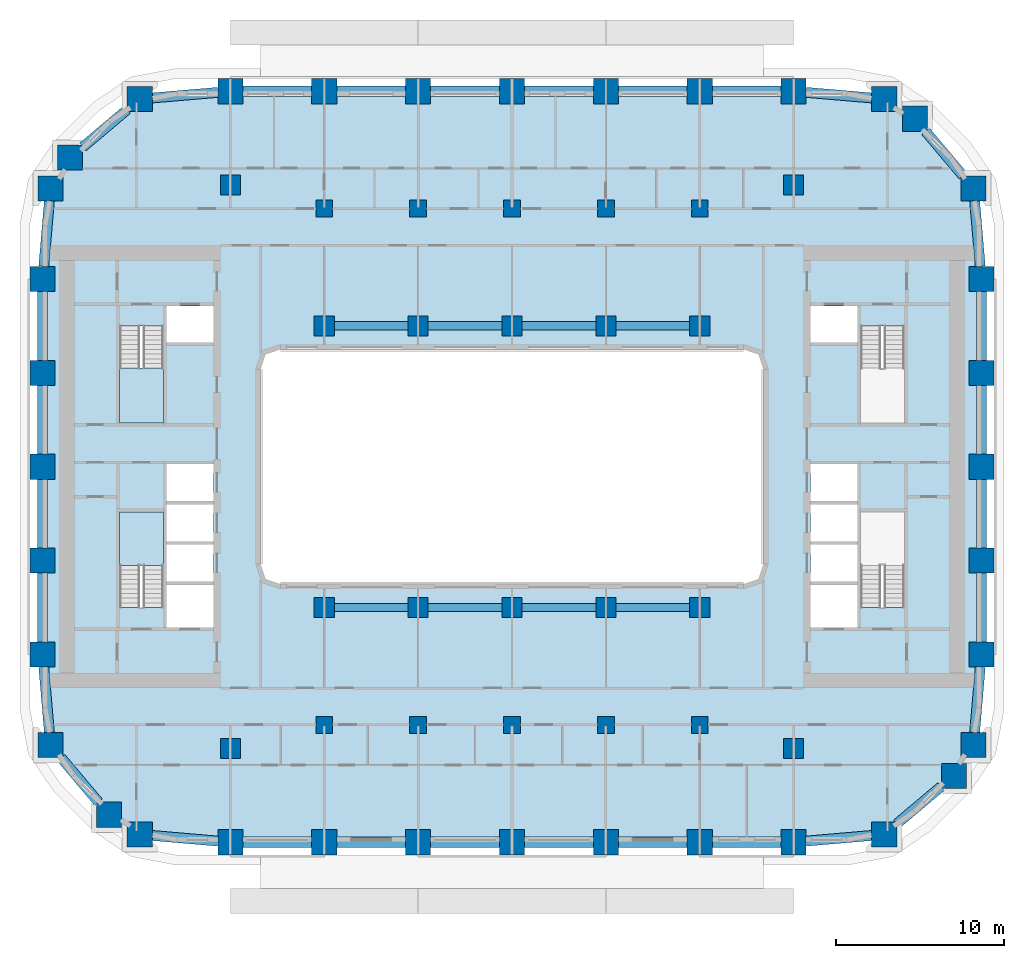
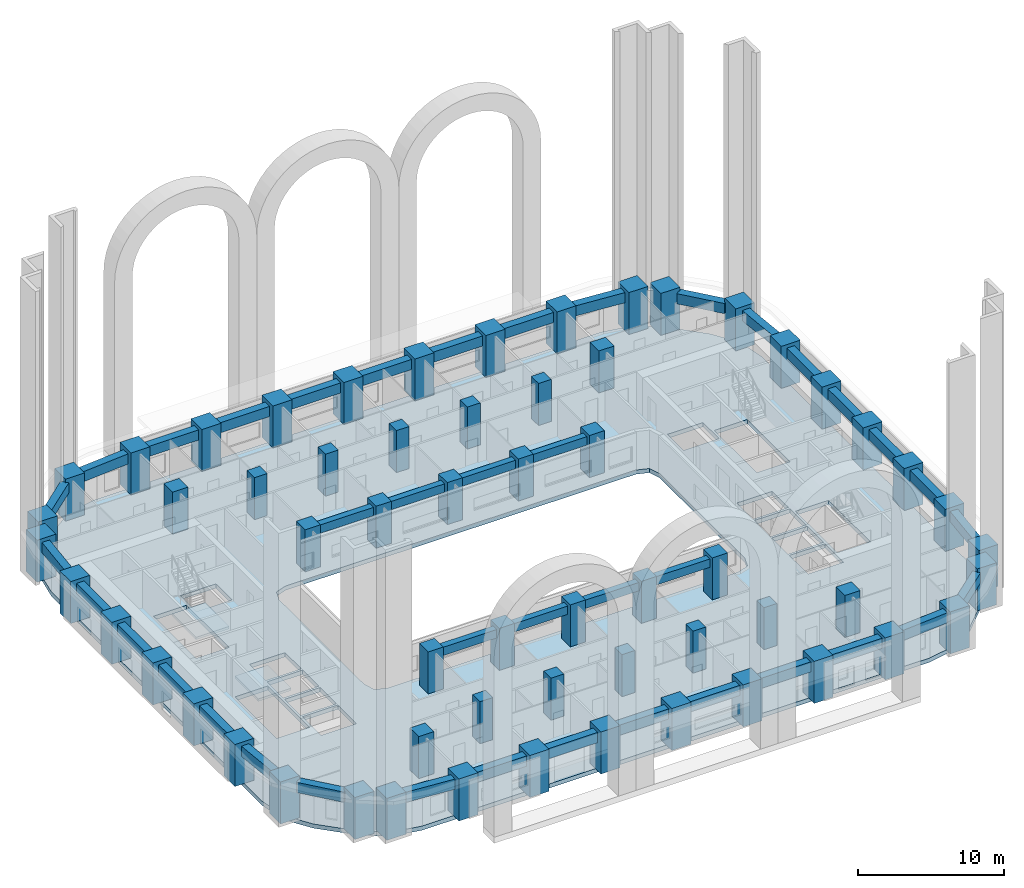
# One storey, part 1 of 21: 60 columns, 40 beams, 3 slabs, 2 elements without a shape of their own.
"""IFC4 building model written with IfcOpenShell, lengths in metres."""

from ifc_helpers import new_model, si_unit, direction, frame, origin, origin_2d, place, context, subcontext, project, spatial, polyline, rectangle, outline, extrude, material, layer, layer_set, material_profile, profile_set, type_object, element, aggregate, save


model = new_model("IFC4")

# Units and contexts
model_context = context("Model", 3, precision=1e-05, world=origin(), true_north=direction((0.0, 1.0)))
body_context = subcontext(model_context, "Body", "Model", "MODEL_VIEW")
ifc_project = project(units=[si_unit("LENGTHUNIT", "METRE"), si_unit("AREAUNIT", "SQUARE_METRE"), si_unit("VOLUMEUNIT", "CUBIC_METRE"), si_unit("PLANEANGLEUNIT", "RADIAN"), si_unit("MASSUNIT", "GRAM", prefix="KILO")], contexts=[model_context])

# Site, building, storey
site_placement = place(None, origin())
site = spatial("IfcSite", under=ifc_project, at=site_placement, CompositionType="ELEMENT")
building_placement = place(site_placement, origin())
building = spatial("IfcBuilding", under=site, at=building_placement, Name="Kiln Ring Residences", CompositionType="ELEMENT")
storey_placement = place(building_placement, frame((0.0, 0.0, 30.5)))
storey = spatial("IfcBuildingStorey", under=building, at=storey_placement, Name="L06", CompositionType="ELEMENT", Elevation=30.5)

# Columns
ifc_material_1 = material(Name="Concrete C80/95", Category="concrete")
ifc_material_profile_1 = material_profile(ifc_material_1, rectangle(XDim=1.0, YDim=1.0, at=origin_2d()), Name="RC1000x1000")
ifc_profile_set_1 = profile_set([ifc_material_profile_1], Name="Concrete C80/95")
column_type_1 = type_object("IfcColumnType", Name="Corridor column RC1000x1000 C80/95", PredefinedType="COLUMN", material=ifc_profile_set_1)
for number, where, z_axis, x_axis, name in (
    (1, (-11.199951171875, 15.39990234375, 0.0), (0.0, 0.0, 1.0), (1.0, 0.0, 0.0), "Corridor column L06 1"),
    (2, (-5.60009765625, 15.39990234375, 0.0), (0.0, 0.0, 1.0), (1.0, 0.0, 0.0), "Corridor column L06 2"),
    (3, (0.0, 15.39990234375, 0.0), (0.0, 0.0, 1.0), (1.0, 0.0, 0.0), "Corridor column L06 3"),
    (4, (5.60009765625, 15.39990234375, 0.0), (0.0, 0.0, 1.0), (1.0, 0.0, 0.0), "Corridor column L06 4"),
    (5, (11.199951171875, 15.39990234375, 0.0), (0.0, 0.0, 1.0), (1.0, 0.0, 0.0), "Corridor column L06 5"),
    (6, (-11.199951171875, -15.39990234375, 0.0), (0.0, 0.0, 1.0), (1.0, 0.0, 0.0), "Corridor column L06 6"),
    (7, (-5.60009765625, -15.39990234375, 0.0), (0.0, 0.0, 1.0), (1.0, 0.0, 0.0), "Corridor column L06 7"),
    (8, (0.0, -15.39990234375, 0.0), (0.0, 0.0, 1.0), (1.0, 0.0, 0.0), "Corridor column L06 8"),
    (9, (5.60009765625, -15.39990234375, 0.0), (0.0, 0.0, 1.0), (1.0, 0.0, 0.0), "Corridor column L06 9"),
    (10, (11.199951171875, -15.39990234375, 0.0), (0.0, 0.0, 1.0), (1.0, 0.0, 0.0), "Corridor column L06 10"),
):
    element("IfcColumn", number, at=place(storey_placement, frame(where, z_axis=z_axis, x_axis=x_axis)), inside=storey, type_object=column_type_1, Name=name, PredefinedType="COLUMN", context=body_context, shape_type="SweptSolid", body=[
        extrude(rectangle(XDim=1.0, YDim=1.0, at=origin_2d()), origin(), (0.0, 0.0, 1.0), 3.5),
    ])
ifc_material_2 = material(Name="Concrete C80/95", Category="concrete")
ifc_material_profile_2 = material_profile(ifc_material_2, rectangle(XDim=1.5, YDim=1.5, at=origin_2d()), Name="RC1500x1500")
ifc_profile_set_2 = profile_set([ifc_material_profile_2], Name="Concrete C80/95")
column_type_2 = type_object("IfcColumnType", Name="Perimeter column RC1500x1500 C80/95", PredefinedType="COLUMN", material=ifc_profile_set_2)
for number, where, z_axis, x_axis, name in (
    (11, (-22.208740234375, -21.93798828125, 0.0), (0.0, 0.0, 1.0), (1.0, 0.0, 0.0), "Perimeter column L06 1"),
    (12, (-16.800048828125, -22.39990234375, 0.0), (0.0, 0.0, 1.0), (1.0, 0.0, 0.0), "Perimeter column L06 2"),
    (13, (-11.199951171875, -22.39990234375, 0.0), (0.0, 0.0, 1.0), (1.0, 0.0, 0.0), "Perimeter column L06 3"),
    (14, (-5.60009765625, -22.39990234375, 0.0), (0.0, 0.0, 1.0), (1.0, 0.0, 0.0), "Perimeter column L06 4"),
    (15, (0.0, -22.39990234375, 0.0), (0.0, 0.0, 1.0), (1.0, 0.0, 0.0), "Perimeter column L06 5"),
    (16, (5.60009765625, -22.39990234375, 0.0), (0.0, 0.0, 1.0), (1.0, 0.0, 0.0), "Perimeter column L06 6"),
    (17, (11.199951171875, -22.39990234375, 0.0), (0.0, 0.0, 1.0), (1.0, 0.0, 0.0), "Perimeter column L06 7"),
    (18, (16.800048828125, -22.39990234375, 0.0), (0.0, 0.0, 1.0), (1.0, 0.0, 0.0), "Perimeter column L06 8"),
    (19, (22.208740234375, -21.93798828125, 0.0), (0.0, 0.0, 1.0), (1.0, 0.0, 0.0), "Perimeter column L06 9"),
    (20, (26.35986328125, -18.440185546875, 0.0), (0.0, 0.0, 1.0), (1.0, 0.0, 0.0), "Perimeter column L06 10"),
    (21, (27.5380859375, -16.608642578125, 0.0), (0.0, 0.0, 1.0), (1.0, 0.0, 0.0), "Perimeter column L06 11"),
    (22, (28.0, -11.199951171875, 0.0), (0.0, 0.0, 1.0), (1.0, 0.0, 0.0), "Perimeter column L06 12"),
    (23, (28.0, -5.60009765625, 0.0), (0.0, 0.0, 1.0), (1.0, 0.0, 0.0), "Perimeter column L06 13"),
    (24, (28.0, 0.0, 0.0), (0.0, 0.0, 1.0), (1.0, 0.0, 0.0), "Perimeter column L06 14"),
    (25, (28.0, 5.60009765625, 0.0), (0.0, 0.0, 1.0), (1.0, 0.0, 0.0), "Perimeter column L06 15"),
    (26, (28.0, 11.199951171875, 0.0), (0.0, 0.0, 1.0), (1.0, 0.0, 0.0), "Perimeter column L06 16"),
    (27, (27.5380859375, 16.608642578125, 0.0), (0.0, 0.0, 1.0), (1.0, 0.0, 0.0), "Perimeter column L06 17"),
    (28, (24.040283203125, 20.759765625, 0.0), (0.0, 0.0, 1.0), (1.0, 0.0, 0.0), "Perimeter column L06 18"),
    (29, (22.208740234375, 21.93798828125, 0.0), (0.0, 0.0, 1.0), (1.0, 0.0, 0.0), "Perimeter column L06 19"),
    (30, (16.800048828125, 22.39990234375, 0.0), (0.0, 0.0, 1.0), (1.0, 0.0, 0.0), "Perimeter column L06 20"),
    (31, (11.199951171875, 22.39990234375, 0.0), (0.0, 0.0, 1.0), (1.0, 0.0, 0.0), "Perimeter column L06 21"),
    (32, (5.60009765625, 22.39990234375, 0.0), (0.0, 0.0, 1.0), (1.0, 0.0, 0.0), "Perimeter column L06 22"),
    (33, (0.0, 22.39990234375, 0.0), (0.0, 0.0, 1.0), (1.0, 0.0, 0.0), "Perimeter column L06 23"),
    (34, (-5.60009765625, 22.39990234375, 0.0), (0.0, 0.0, 1.0), (1.0, 0.0, 0.0), "Perimeter column L06 24"),
    (35, (-11.199951171875, 22.39990234375, 0.0), (0.0, 0.0, 1.0), (1.0, 0.0, 0.0), "Perimeter column L06 25"),
    (36, (-16.800048828125, 22.39990234375, 0.0), (0.0, 0.0, 1.0), (1.0, 0.0, 0.0), "Perimeter column L06 26"),
    (37, (-22.208740234375, 21.93798828125, 0.0), (0.0, 0.0, 1.0), (1.0, 0.0, 0.0), "Perimeter column L06 27"),
    (38, (-26.35986328125, 18.440185546875, 0.0), (0.0, 0.0, 1.0), (1.0, 0.0, 0.0), "Perimeter column L06 28"),
    (39, (-27.5380859375, 16.608642578125, 0.0), (0.0, 0.0, 1.0), (1.0, 0.0, 0.0), "Perimeter column L06 29"),
    (40, (-28.0, 11.199951171875, 0.0), (0.0, 0.0, 1.0), (1.0, 0.0, 0.0), "Perimeter column L06 30"),
    (41, (-28.0, 5.60009765625, 0.0), (0.0, 0.0, 1.0), (1.0, 0.0, 0.0), "Perimeter column L06 31"),
    (42, (-28.0, 0.0, 0.0), (0.0, 0.0, 1.0), (1.0, 0.0, 0.0), "Perimeter column L06 32"),
    (43, (-28.0, -5.60009765625, 0.0), (0.0, 0.0, 1.0), (1.0, 0.0, 0.0), "Perimeter column L06 33"),
    (44, (-28.0, -11.199951171875, 0.0), (0.0, 0.0, 1.0), (1.0, 0.0, 0.0), "Perimeter column L06 34"),
    (45, (-27.5380859375, -16.608642578125, 0.0), (0.0, 0.0, 1.0), (1.0, 0.0, 0.0), "Perimeter column L06 35"),
    (46, (-24.040283203125, -20.759765625, 0.0), (0.0, 0.0, 1.0), (1.0, 0.0, 0.0), "Perimeter column L06 36"),
):
    element("IfcColumn", number, at=place(storey_placement, frame(where, z_axis=z_axis, x_axis=x_axis)), inside=storey, type_object=column_type_2, Name=name, PredefinedType="COLUMN", context=body_context, shape_type="SweptSolid", body=[
        extrude(rectangle(XDim=1.5, YDim=1.5, at=origin_2d()), origin(), (0.0, 0.0, 1.0), 3.5),
    ])
ifc_material_3 = material(Name="Concrete C80/95", Category="concrete")
ifc_material_profile_3 = material_profile(ifc_material_3, rectangle(XDim=1.199951171875, YDim=1.199951171875, at=origin_2d()), Name="RC1200x1200")
ifc_profile_set_3 = profile_set([ifc_material_profile_3], Name="Concrete C80/95")
column_type_3 = type_object("IfcColumnType", Name="Ring column RC1200x1200 C80/95", PredefinedType="COLUMN", material=ifc_profile_set_3)
for number, where, z_axis, x_axis, name in (
    (47, (-16.800048828125, -16.800048828125, 0.0), (0.0, 0.0, 1.0), (1.0, 0.0, 0.0), "Ring column L06 1"),
    (48, (-16.800048828125, 16.800048828125, 0.0), (0.0, 0.0, 1.0), (1.0, 0.0, 0.0), "Ring column L06 2"),
    (49, (-11.199951171875, -8.39990234375, 0.0), (0.0, 0.0, 1.0), (1.0, 0.0, 0.0), "Ring column L06 3"),
    (50, (-11.199951171875, 8.39990234375, 0.0), (0.0, 0.0, 1.0), (1.0, 0.0, 0.0), "Ring column L06 4"),
    (51, (-5.60009765625, -8.39990234375, 0.0), (0.0, 0.0, 1.0), (1.0, 0.0, 0.0), "Ring column L06 5"),
    (52, (-5.60009765625, 8.39990234375, 0.0), (0.0, 0.0, 1.0), (1.0, 0.0, 0.0), "Ring column L06 6"),
    (53, (0.0, -8.39990234375, 0.0), (0.0, 0.0, 1.0), (1.0, 0.0, 0.0), "Ring column L06 7"),
    (54, (0.0, 8.39990234375, 0.0), (0.0, 0.0, 1.0), (1.0, 0.0, 0.0), "Ring column L06 8"),
    (55, (5.60009765625, -8.39990234375, 0.0), (0.0, 0.0, 1.0), (1.0, 0.0, 0.0), "Ring column L06 9"),
    (56, (5.60009765625, 8.39990234375, 0.0), (0.0, 0.0, 1.0), (1.0, 0.0, 0.0), "Ring column L06 10"),
    (57, (11.199951171875, -8.39990234375, 0.0), (0.0, 0.0, 1.0), (1.0, 0.0, 0.0), "Ring column L06 11"),
    (58, (11.199951171875, 8.39990234375, 0.0), (0.0, 0.0, 1.0), (1.0, 0.0, 0.0), "Ring column L06 12"),
    (59, (16.800048828125, -16.800048828125, 0.0), (0.0, 0.0, 1.0), (1.0, 0.0, 0.0), "Ring column L06 13"),
    (60, (16.800048828125, 16.800048828125, 0.0), (0.0, 0.0, 1.0), (1.0, 0.0, 0.0), "Ring column L06 14"),
):
    element("IfcColumn", number, at=place(storey_placement, frame(where, z_axis=z_axis, x_axis=x_axis)), inside=storey, type_object=column_type_3, Name=name, PredefinedType="COLUMN", context=body_context, shape_type="SweptSolid", body=[
        extrude(rectangle(XDim=1.199951171875, YDim=1.199951171875, at=origin_2d()), origin(), (0.0, 0.0, 1.0), 3.5),
    ])

# Beams
ifc_material_4 = material(Name="Concrete C50/60", Category="concrete")
ifc_material_profile_4 = material_profile(ifc_material_4, rectangle(XDim=0.5, YDim=0.699951171875, at=origin_2d()), Name="RC500x700")
ifc_profile_set_4 = profile_set([ifc_material_profile_4], Name="Concrete C50/60")
beam_type_1 = type_object("IfcBeamType", Name="Ring beam RC500x700 C50/60", PredefinedType="BEAM", material=ifc_profile_set_4)
beam_1_placement = place(storey_placement, frame((-10.60009765625, -8.39990234375, 2.85009765625), z_axis=(1.0, 0.0, 0.0), x_axis=(0.0, 1.0, 0.0)))
element("IfcBeam", 61, at=beam_1_placement, inside=storey, type_object=beam_type_1, Name="Ring beam L06 1", PredefinedType="BEAM", context=body_context, shape_type="SweptSolid", body=[
    extrude(rectangle(XDim=0.5, YDim=0.699951171875, at=origin_2d()), origin(), (0.0, 0.0, 1.0), 4.400146484375),
])
for number, where, z_axis, x_axis, name in (
    (62, (-5.0, -8.39990234375, 2.85009765625), (1.0, 0.0, 0.0), (0.0, 1.0, 0.0), "Ring beam L06 2"),
    (63, (0.60009765625, -8.39990234375, 2.85009765625), (1.0, 0.0, 0.0), (0.0, 1.0, 0.0), "Ring beam L06 3"),
):
    element("IfcBeam", number, at=place(storey_placement, frame(where, z_axis=z_axis, x_axis=x_axis)), inside=storey, type_object=beam_type_1, Name=name, PredefinedType="BEAM", context=body_context, shape_type="SweptSolid", body=[
        extrude(rectangle(XDim=0.5, YDim=0.699951171875, at=origin_2d()), origin(), (0.0, 0.0, 1.0), 4.39990234375),
    ])
for number, where, z_axis, x_axis, name in (
    (64, (6.199951171875, -8.39990234375, 2.85009765625), (1.0, 0.0, 0.0), (0.0, 1.0, 0.0), "Ring beam L06 4"),
    (65, (-10.60009765625, 8.39990234375, 2.85009765625), (1.0, 0.0, 0.0), (0.0, 1.0, 0.0), "Ring beam L06 5"),
):
    element("IfcBeam", number, at=place(storey_placement, frame(where, z_axis=z_axis, x_axis=x_axis)), inside=storey, type_object=beam_type_1, Name=name, PredefinedType="BEAM", context=body_context, shape_type="SweptSolid", body=[
        extrude(rectangle(XDim=0.5, YDim=0.699951171875, at=origin_2d()), origin(), (0.0, 0.0, 1.0), 4.400146484375),
    ])
for number, where, z_axis, x_axis, name in (
    (66, (-5.0, 8.39990234375, 2.85009765625), (1.0, 0.0, 0.0), (0.0, 1.0, 0.0), "Ring beam L06 6"),
    (67, (0.60009765625, 8.39990234375, 2.85009765625), (1.0, 0.0, 0.0), (0.0, 1.0, 0.0), "Ring beam L06 7"),
):
    element("IfcBeam", number, at=place(storey_placement, frame(where, z_axis=z_axis, x_axis=x_axis)), inside=storey, type_object=beam_type_1, Name=name, PredefinedType="BEAM", context=body_context, shape_type="SweptSolid", body=[
        extrude(rectangle(XDim=0.5, YDim=0.699951171875, at=origin_2d()), origin(), (0.0, 0.0, 1.0), 4.39990234375),
    ])
beam_2_placement = place(storey_placement, frame((6.199951171875, 8.39990234375, 2.85009765625), z_axis=(1.0, 0.0, 0.0), x_axis=(0.0, 1.0, 0.0)))
element("IfcBeam", 68, at=beam_2_placement, inside=storey, type_object=beam_type_1, Name="Ring beam L06 8", PredefinedType="BEAM", context=body_context, shape_type="SweptSolid", body=[
    extrude(rectangle(XDim=0.5, YDim=0.699951171875, at=origin_2d()), origin(), (0.0, 0.0, 1.0), 4.400146484375),
])
ifc_material_5 = material(Name="Concrete C50/60", Category="concrete")
ifc_material_profile_5 = material_profile(ifc_material_5, rectangle(XDim=0.60009765625, YDim=0.85009765625, at=origin_2d()), Name="RC600x850")
ifc_profile_set_5 = profile_set([ifc_material_profile_5], Name="Concrete C50/60")
beam_type_2 = type_object("IfcBeamType", Name="Spandrel beam RC600x850 C50/60", PredefinedType="SPANDREL", material=ifc_profile_set_5)
beam_3_placement = place(storey_placement, frame((-21.458740234375, -22.002197265625, 2.77490234375), z_axis=(0.996374585929, -0.085074582072, 0.0), x_axis=(0.085074582072, 0.996374585929, 0.0)))
element("IfcBeam", 69, at=beam_3_placement, inside=storey, type_object=beam_type_2, Name="Spandrel beam L06 1", PredefinedType="SPANDREL", context=body_context, shape_type="SweptSolid", body=[
    extrude(rectangle(XDim=0.60009765625, YDim=0.85009765625, at=origin_2d()), origin(), (0.0, 0.0, 1.0), 3.9228515625),
])
beam_4_placement = place(storey_placement, frame((-16.050048828125, -22.39990234375, 2.77490234375), z_axis=(1.0, 0.0, 0.0), x_axis=(0.0, 1.0, 0.0)))
element("IfcBeam", 70, at=beam_4_placement, inside=storey, type_object=beam_type_2, Name="Spandrel beam L06 2", PredefinedType="SPANDREL", context=body_context, shape_type="SweptSolid", body=[
    extrude(rectangle(XDim=0.60009765625, YDim=0.85009765625, at=origin_2d()), origin(), (0.0, 0.0, 1.0), 4.10009765625),
])
beam_5_placement = place(storey_placement, frame((-10.449951171875, -22.39990234375, 2.77490234375), z_axis=(1.0, 0.0, 0.0), x_axis=(0.0, 1.0, 0.0)))
element("IfcBeam", 71, at=beam_5_placement, inside=storey, type_object=beam_type_2, Name="Spandrel beam L06 3", PredefinedType="SPANDREL", context=body_context, shape_type="SweptSolid", body=[
    extrude(rectangle(XDim=0.60009765625, YDim=0.85009765625, at=origin_2d()), origin(), (0.0, 0.0, 1.0), 4.099853515625),
])
for number, where, z_axis, x_axis, name in (
    (72, (-4.85009765625, -22.39990234375, 2.77490234375), (1.0, 0.0, 0.0), (0.0, 1.0, 0.0), "Spandrel beam L06 4"),
    (73, (0.75, -22.39990234375, 2.77490234375), (1.0, 0.0, 0.0), (0.0, 1.0, 0.0), "Spandrel beam L06 5"),
):
    element("IfcBeam", number, at=place(storey_placement, frame(where, z_axis=z_axis, x_axis=x_axis)), inside=storey, type_object=beam_type_2, Name=name, PredefinedType="SPANDREL", context=body_context, shape_type="SweptSolid", body=[
        extrude(rectangle(XDim=0.60009765625, YDim=0.85009765625, at=origin_2d()), origin(), (0.0, 0.0, 1.0), 4.10009765625),
    ])
beam_6_placement = place(storey_placement, frame((6.35009765625, -22.39990234375, 2.77490234375), z_axis=(1.0, 0.0, 0.0), x_axis=(0.0, 1.0, 0.0)))
element("IfcBeam", 74, at=beam_6_placement, inside=storey, type_object=beam_type_2, Name="Spandrel beam L06 6", PredefinedType="SPANDREL", context=body_context, shape_type="SweptSolid", body=[
    extrude(rectangle(XDim=0.60009765625, YDim=0.85009765625, at=origin_2d()), origin(), (0.0, 0.0, 1.0), 4.099853515625),
])
beam_7_placement = place(storey_placement, frame((11.949951171875, -22.39990234375, 2.77490234375), z_axis=(1.0, 0.0, 0.0), x_axis=(0.0, 1.0, 0.0)))
element("IfcBeam", 75, at=beam_7_placement, inside=storey, type_object=beam_type_2, Name="Spandrel beam L06 7", PredefinedType="SPANDREL", context=body_context, shape_type="SweptSolid", body=[
    extrude(rectangle(XDim=0.60009765625, YDim=0.85009765625, at=origin_2d()), origin(), (0.0, 0.0, 1.0), 4.10009765625),
])
beam_8_placement = place(storey_placement, frame((17.550048828125, -22.3359375, 2.77490234375), z_axis=(0.996374585929, 0.085074582072, 0.0), x_axis=(-0.085074582072, 0.996374585929, 0.0)))
element("IfcBeam", 76, at=beam_8_placement, inside=storey, type_object=beam_type_2, Name="Spandrel beam L06 8", PredefinedType="SPANDREL", context=body_context, shape_type="SweptSolid", body=[
    extrude(rectangle(XDim=0.60009765625, YDim=0.85009765625, at=origin_2d()), origin(), (0.0, 0.0, 1.0), 3.9228515625),
])
beam_9_placement = place(storey_placement, frame((22.958740234375, -21.30615234375, 2.77490234375), z_axis=(0.76471758739, 0.644365588417, 0.0), x_axis=(-0.644365588417, 0.76471758739, 0.0)))
element("IfcBeam", 77, at=beam_9_placement, inside=storey, type_object=beam_type_2, Name="Spandrel beam L06 9", PredefinedType="SPANDREL", context=body_context, shape_type="SweptSolid", body=[
    extrude(rectangle(XDim=0.60009765625, YDim=0.85009765625, at=origin_2d()), origin(), (0.0, 0.0, 1.0), 3.466796875),
])
beam_10_placement = place(storey_placement, frame((27.60205078125, -15.858642578125, 2.77490234375), z_axis=(0.085136365662, 0.996369308661, 0.0), x_axis=(-0.996369308661, 0.085136365662, 0.0)))
element("IfcBeam", 78, at=beam_10_placement, inside=storey, type_object=beam_type_2, Name="Spandrel beam L06 10", PredefinedType="SPANDREL", context=body_context, shape_type="SweptSolid", body=[
    extrude(rectangle(XDim=0.60009765625, YDim=0.85009765625, at=origin_2d()), origin(), (0.0, 0.0, 1.0), 3.9228515625),
])
beam_11_placement = place(storey_placement, frame((28.0, -10.449951171875, 2.77490234375), z_axis=(0.0, 1.0, 0.0), x_axis=(-1.0, 0.0, 0.0)))
element("IfcBeam", 79, at=beam_11_placement, inside=storey, type_object=beam_type_2, Name="Spandrel beam L06 11", PredefinedType="SPANDREL", context=body_context, shape_type="SweptSolid", body=[
    extrude(rectangle(XDim=0.60009765625, YDim=0.85009765625, at=origin_2d()), origin(), (0.0, 0.0, 1.0), 4.099853515625),
])
for number, where, z_axis, x_axis, name in (
    (80, (28.0, -4.85009765625, 2.77490234375), (0.0, 1.0, 0.0), (-1.0, 0.0, 0.0), "Spandrel beam L06 12"),
    (81, (28.0, 0.75, 2.77490234375), (0.0, 1.0, 0.0), (-1.0, 0.0, 0.0), "Spandrel beam L06 13"),
):
    element("IfcBeam", number, at=place(storey_placement, frame(where, z_axis=z_axis, x_axis=x_axis)), inside=storey, type_object=beam_type_2, Name=name, PredefinedType="SPANDREL", context=body_context, shape_type="SweptSolid", body=[
        extrude(rectangle(XDim=0.60009765625, YDim=0.85009765625, at=origin_2d()), origin(), (0.0, 0.0, 1.0), 4.10009765625),
    ])
beam_12_placement = place(storey_placement, frame((28.0, 6.35009765625, 2.77490234375), z_axis=(0.0, 1.0, 0.0), x_axis=(-1.0, 0.0, 0.0)))
element("IfcBeam", 82, at=beam_12_placement, inside=storey, type_object=beam_type_2, Name="Spandrel beam L06 14", PredefinedType="SPANDREL", context=body_context, shape_type="SweptSolid", body=[
    extrude(rectangle(XDim=0.60009765625, YDim=0.85009765625, at=origin_2d()), origin(), (0.0, 0.0, 1.0), 4.099853515625),
])
beam_13_placement = place(storey_placement, frame((27.93603515625, 11.949951171875, 2.77490234375), z_axis=(-0.085136365662, 0.996369308661, 0.0), x_axis=(-0.996369308661, -0.085136365662, 0.0)))
element("IfcBeam", 83, at=beam_13_placement, inside=storey, type_object=beam_type_2, Name="Spandrel beam L06 15", PredefinedType="SPANDREL", context=body_context, shape_type="SweptSolid", body=[
    extrude(rectangle(XDim=0.60009765625, YDim=0.85009765625, at=origin_2d()), origin(), (0.0, 0.0, 1.0), 3.9228515625),
])
beam_14_placement = place(storey_placement, frame((26.906005859375, 17.358642578125, 2.77490234375), z_axis=(-0.644365588417, 0.76471758739, 0.0), x_axis=(-0.76471758739, -0.644365588417, 0.0)))
element("IfcBeam", 84, at=beam_14_placement, inside=storey, type_object=beam_type_2, Name="Spandrel beam L06 16", PredefinedType="SPANDREL", context=body_context, shape_type="SweptSolid", body=[
    extrude(rectangle(XDim=0.60009765625, YDim=0.85009765625, at=origin_2d()), origin(), (0.0, 0.0, 1.0), 3.466796875),
])
beam_15_placement = place(storey_placement, frame((21.458740234375, 22.002197265625, 2.77490234375), z_axis=(-0.996374585929, 0.085074582072, 0.0), x_axis=(-0.085074582072, -0.996374585929, 0.0)))
element("IfcBeam", 85, at=beam_15_placement, inside=storey, type_object=beam_type_2, Name="Spandrel beam L06 17", PredefinedType="SPANDREL", context=body_context, shape_type="SweptSolid", body=[
    extrude(rectangle(XDim=0.60009765625, YDim=0.85009765625, at=origin_2d()), origin(), (0.0, 0.0, 1.0), 3.9228515625),
])
beam_16_placement = place(storey_placement, frame((16.050048828125, 22.39990234375, 2.77490234375), z_axis=(-1.0, 0.0, 0.0), x_axis=(0.0, -1.0, 0.0)))
element("IfcBeam", 86, at=beam_16_placement, inside=storey, type_object=beam_type_2, Name="Spandrel beam L06 18", PredefinedType="SPANDREL", context=body_context, shape_type="SweptSolid", body=[
    extrude(rectangle(XDim=0.60009765625, YDim=0.85009765625, at=origin_2d()), origin(), (0.0, 0.0, 1.0), 4.10009765625),
])
beam_17_placement = place(storey_placement, frame((10.449951171875, 22.39990234375, 2.77490234375), z_axis=(-1.0, 0.0, 0.0), x_axis=(0.0, -1.0, 0.0)))
element("IfcBeam", 87, at=beam_17_placement, inside=storey, type_object=beam_type_2, Name="Spandrel beam L06 19", PredefinedType="SPANDREL", context=body_context, shape_type="SweptSolid", body=[
    extrude(rectangle(XDim=0.60009765625, YDim=0.85009765625, at=origin_2d()), origin(), (0.0, 0.0, 1.0), 4.099853515625),
])
for number, where, z_axis, x_axis, name in (
    (88, (4.85009765625, 22.39990234375, 2.77490234375), (-1.0, 0.0, 0.0), (0.0, -1.0, 0.0), "Spandrel beam L06 20"),
    (89, (-0.75, 22.39990234375, 2.77490234375), (-1.0, 0.0, 0.0), (0.0, -1.0, 0.0), "Spandrel beam L06 21"),
):
    element("IfcBeam", number, at=place(storey_placement, frame(where, z_axis=z_axis, x_axis=x_axis)), inside=storey, type_object=beam_type_2, Name=name, PredefinedType="SPANDREL", context=body_context, shape_type="SweptSolid", body=[
        extrude(rectangle(XDim=0.60009765625, YDim=0.85009765625, at=origin_2d()), origin(), (0.0, 0.0, 1.0), 4.10009765625),
    ])
beam_18_placement = place(storey_placement, frame((-6.35009765625, 22.39990234375, 2.77490234375), z_axis=(-1.0, 0.0, 0.0), x_axis=(0.0, -1.0, 0.0)))
element("IfcBeam", 90, at=beam_18_placement, inside=storey, type_object=beam_type_2, Name="Spandrel beam L06 22", PredefinedType="SPANDREL", context=body_context, shape_type="SweptSolid", body=[
    extrude(rectangle(XDim=0.60009765625, YDim=0.85009765625, at=origin_2d()), origin(), (0.0, 0.0, 1.0), 4.099853515625),
])
beam_19_placement = place(storey_placement, frame((-11.949951171875, 22.39990234375, 2.77490234375), z_axis=(-1.0, 0.0, 0.0), x_axis=(0.0, -1.0, 0.0)))
element("IfcBeam", 91, at=beam_19_placement, inside=storey, type_object=beam_type_2, Name="Spandrel beam L06 23", PredefinedType="SPANDREL", context=body_context, shape_type="SweptSolid", body=[
    extrude(rectangle(XDim=0.60009765625, YDim=0.85009765625, at=origin_2d()), origin(), (0.0, 0.0, 1.0), 4.10009765625),
])
beam_20_placement = place(storey_placement, frame((-17.550048828125, 22.3359375, 2.77490234375), z_axis=(-0.996374585929, -0.085074582072, 0.0), x_axis=(0.085074582072, -0.996374585929, 0.0)))
element("IfcBeam", 92, at=beam_20_placement, inside=storey, type_object=beam_type_2, Name="Spandrel beam L06 24", PredefinedType="SPANDREL", context=body_context, shape_type="SweptSolid", body=[
    extrude(rectangle(XDim=0.60009765625, YDim=0.85009765625, at=origin_2d()), origin(), (0.0, 0.0, 1.0), 3.9228515625),
])
beam_21_placement = place(storey_placement, frame((-22.958740234375, 21.30615234375, 2.77490234375), z_axis=(-0.76471758739, -0.644365588417, 0.0), x_axis=(0.644365588417, -0.76471758739, 0.0)))
element("IfcBeam", 93, at=beam_21_placement, inside=storey, type_object=beam_type_2, Name="Spandrel beam L06 25", PredefinedType="SPANDREL", context=body_context, shape_type="SweptSolid", body=[
    extrude(rectangle(XDim=0.60009765625, YDim=0.85009765625, at=origin_2d()), origin(), (0.0, 0.0, 1.0), 3.466796875),
])
beam_22_placement = place(storey_placement, frame((-27.60205078125, 15.858642578125, 2.77490234375), z_axis=(-0.085136365662, -0.996369308661, 0.0), x_axis=(0.996369308661, -0.085136365662, 0.0)))
element("IfcBeam", 94, at=beam_22_placement, inside=storey, type_object=beam_type_2, Name="Spandrel beam L06 26", PredefinedType="SPANDREL", context=body_context, shape_type="SweptSolid", body=[
    extrude(rectangle(XDim=0.60009765625, YDim=0.85009765625, at=origin_2d()), origin(), (0.0, 0.0, 1.0), 3.9228515625),
])
beam_23_placement = place(storey_placement, frame((-28.0, 10.449951171875, 2.77490234375), z_axis=(0.0, -1.0, 0.0), x_axis=(1.0, 0.0, 0.0)))
element("IfcBeam", 95, at=beam_23_placement, inside=storey, type_object=beam_type_2, Name="Spandrel beam L06 27", PredefinedType="SPANDREL", context=body_context, shape_type="SweptSolid", body=[
    extrude(rectangle(XDim=0.60009765625, YDim=0.85009765625, at=origin_2d()), origin(), (0.0, 0.0, 1.0), 4.099853515625),
])
for number, where, z_axis, x_axis, name in (
    (96, (-28.0, 4.85009765625, 2.77490234375), (0.0, -1.0, 0.0), (1.0, 0.0, 0.0), "Spandrel beam L06 28"),
    (97, (-28.0, -0.75, 2.77490234375), (0.0, -1.0, 0.0), (1.0, 0.0, 0.0), "Spandrel beam L06 29"),
):
    element("IfcBeam", number, at=place(storey_placement, frame(where, z_axis=z_axis, x_axis=x_axis)), inside=storey, type_object=beam_type_2, Name=name, PredefinedType="SPANDREL", context=body_context, shape_type="SweptSolid", body=[
        extrude(rectangle(XDim=0.60009765625, YDim=0.85009765625, at=origin_2d()), origin(), (0.0, 0.0, 1.0), 4.10009765625),
    ])
beam_24_placement = place(storey_placement, frame((-28.0, -6.35009765625, 2.77490234375), z_axis=(0.0, -1.0, 0.0), x_axis=(1.0, 0.0, 0.0)))
element("IfcBeam", 98, at=beam_24_placement, inside=storey, type_object=beam_type_2, Name="Spandrel beam L06 30", PredefinedType="SPANDREL", context=body_context, shape_type="SweptSolid", body=[
    extrude(rectangle(XDim=0.60009765625, YDim=0.85009765625, at=origin_2d()), origin(), (0.0, 0.0, 1.0), 4.099853515625),
])
beam_25_placement = place(storey_placement, frame((-27.93603515625, -11.949951171875, 2.77490234375), z_axis=(0.085136365662, -0.996369308661, 0.0), x_axis=(0.996369308661, 0.085136365662, 0.0)))
element("IfcBeam", 99, at=beam_25_placement, inside=storey, type_object=beam_type_2, Name="Spandrel beam L06 31", PredefinedType="SPANDREL", context=body_context, shape_type="SweptSolid", body=[
    extrude(rectangle(XDim=0.60009765625, YDim=0.85009765625, at=origin_2d()), origin(), (0.0, 0.0, 1.0), 3.9228515625),
])
beam_26_placement = place(storey_placement, frame((-26.906005859375, -17.358642578125, 2.77490234375), z_axis=(0.644365588417, -0.76471758739, 0.0), x_axis=(0.76471758739, 0.644365588417, 0.0)))
element("IfcBeam", 100, at=beam_26_placement, inside=storey, type_object=beam_type_2, Name="Spandrel beam L06 32", PredefinedType="SPANDREL", context=body_context, shape_type="SweptSolid", body=[
    extrude(rectangle(XDim=0.60009765625, YDim=0.85009765625, at=origin_2d()), origin(), (0.0, 0.0, 1.0), 3.466796875),
])

# Stair, slab
ifc_material_6 = material(Name="Concrete C40/50", Category="concrete")
stair_type = type_object("IfcStairType", Name="CORE-STAIR", PredefinedType="HALF_TURN_STAIR", material=ifc_material_6)
placement_1 = place(storey_placement, origin())
stair_1 = element("IfcStair", 101, at=placement_1, inside=storey, type_object=stair_type, Name="L06 stair W-STN", PredefinedType="HALF_TURN_STAIR")
ifc_material_7 = material(Name="Concrete C40/50", Category="concrete")
ifc_layer_1 = layer(ifc_material_7, 0.199951171875)
ifc_layer_set_1 = layer_set([ifc_layer_1], Name="CORE-STAIR-LANDING")
slab_type_1 = type_object("IfcSlabType", Name="CORE-STAIR-LANDING", PredefinedType="LANDING", material=ifc_layer_set_1)
placement_2 = place(storey_placement, frame((0.0, 0.0, 1.550048828125)))
slab_1 = element("IfcSlab", 102, at=placement_2, type_object=slab_type_1, Name="W-STN landing 1", PredefinedType="LANDING", context=body_context, shape_type="SweptSolid", body=[
    extrude(outline(polyline([(-23.39990234375, 5.8798828125), (-23.39990234375, 2.60009765625), (-20.800048828125, 2.60009765625), (-20.800048828125, 5.8798828125), (-23.39990234375, 5.8798828125)])), origin(), (0.0, 0.0, 1.0), 0.199951171875),
])
aggregate(stair_1, [slab_1])

stair_2 = element("IfcStair", 103, at=placement_1, inside=storey, type_object=stair_type, Name="L06 stair W-STS", PredefinedType="HALF_TURN_STAIR")
slab_2 = element("IfcSlab", 104, at=placement_2, type_object=slab_type_1, Name="W-STS landing 1", PredefinedType="LANDING", context=body_context, shape_type="SweptSolid", body=[
    extrude(outline(polyline([(-20.800048828125, -5.8798828125), (-20.800048828125, -2.699951171875), (-23.39990234375, -2.699951171875), (-23.39990234375, -5.8798828125), (-20.800048828125, -5.8798828125)])), origin(), (0.0, 0.0, 1.0), 0.199951171875),
])
aggregate(stair_2, [slab_2])

# Slab
ifc_material_8 = material(Name="Concrete C40/50", Category="concrete")
ifc_layer_2 = layer(ifc_material_8, 0.35009765625)
ifc_layer_set_2 = layer_set([ifc_layer_2], Name="Floor slab 350")
slab_type_2 = type_object("IfcSlabType", Name="Floor slab 350", PredefinedType="FLOOR", material=ifc_layer_set_2)
slab_3_placement = place(storey_placement, frame((0.0, 0.0, -0.35009765625)))
element("IfcSlab", 105, at=slab_3_placement, inside=storey, type_object=slab_type_2, Name="Floor slab L06 1", PredefinedType="FLOOR", context=body_context, shape_type="SweptSolid", body=[
    extrude(outline(polyline([(-26.302978515625, -18.4970703125), (-24.09716796875, -20.702880859375), (-22.224365234375, -21.975830078125), (-20.0, -22.39990234375), (20.0, -22.39990234375), (22.224365234375, -21.975830078125), (24.09716796875, -20.702880859375), (26.302978515625, -18.4970703125), (27.57568359375, -16.624267578125), (28.0, -14.39990234375), (28.0, 14.39990234375), (27.57568359375, 16.624267578125), (26.302978515625, 18.4970703125), (24.09716796875, 20.702880859375), (22.224365234375, 21.975830078125), (20.0, 22.39990234375), (-20.0, 22.39990234375), (-22.224365234375, 21.975830078125), (-24.09716796875, 20.702880859375), (-26.302978515625, 18.4970703125), (-27.57568359375, 16.624267578125), (-28.0, 14.39990234375), (-28.0, -14.39990234375), (-27.57568359375, -16.624267578125), (-26.302978515625, -18.4970703125)]), holes=[polyline([(-14.699951171875, -6.699951171875), (-15.0, -5.800048828125), (-15.0, 5.800048828125), (-14.699951171875, 6.699951171875), (-13.800048828125, 7.0), (13.800048828125, 7.0), (14.699951171875, 6.699951171875), (15.0, 5.800048828125), (15.0, -5.800048828125), (14.699951171875, -6.699951171875), (13.800048828125, -7.0), (-13.800048828125, -7.0), (-14.699951171875, -6.699951171875)]), polyline([(20.800048828125, -8.39794921875), (20.800048828125, -2.699951171875), (23.39990234375, -2.699951171875), (23.39990234375, -8.39794921875), (20.800048828125, -8.39794921875)]), polyline([(20.800048828125, 2.60009765625), (20.800048828125, 8.39794921875), (23.39990234375, 8.39794921875), (23.39990234375, 2.60009765625), (20.800048828125, 2.60009765625)]), polyline([(17.800048828125, -6.85009765625), (17.800048828125, -4.64990234375), (20.60009765625, -4.64990234375), (20.60009765625, -6.85009765625), (17.800048828125, -6.85009765625)]), polyline([(17.800048828125, -4.449951171875), (17.800048828125, -2.25), (20.60009765625, -2.25), (20.60009765625, -4.449951171875), (17.800048828125, -4.449951171875)]), polyline([(17.800048828125, -2.050048828125), (17.800048828125, 0.14990234375), (20.60009765625, 0.14990234375), (20.60009765625, -2.050048828125), (17.800048828125, -2.050048828125)]), polyline([(17.800048828125, 7.39990234375), (17.800048828125, 9.60009765625), (20.60009765625, 9.60009765625), (20.60009765625, 7.39990234375), (17.800048828125, 7.39990234375)]), polyline([(20.60009765625, -9.60009765625), (17.800048828125, -9.60009765625), (17.800048828125, -7.050048828125), (20.60009765625, -7.050048828125), (20.60009765625, -9.60009765625)]), polyline([(-17.800048828125, -7.050048828125), (-17.800048828125, -9.60009765625), (-20.60009765625, -9.60009765625), (-20.60009765625, -7.050048828125), (-17.800048828125, -7.050048828125)]), polyline([(-17.800048828125, -6.85009765625), (-20.60009765625, -6.85009765625), (-20.60009765625, -4.64990234375), (-17.800048828125, -4.64990234375), (-17.800048828125, -6.85009765625)]), polyline([(-17.800048828125, -4.449951171875), (-20.60009765625, -4.449951171875), (-20.60009765625, -2.25), (-17.800048828125, -2.25), (-17.800048828125, -4.449951171875)]), polyline([(-17.800048828125, -2.050048828125), (-20.60009765625, -2.050048828125), (-20.60009765625, 0.14990234375), (-17.800048828125, 0.14990234375), (-17.800048828125, -2.050048828125)]), polyline([(-17.800048828125, 7.39990234375), (-20.60009765625, 7.39990234375), (-20.60009765625, 9.60009765625), (-17.800048828125, 9.60009765625), (-17.800048828125, 7.39990234375)]), polyline([(-20.800048828125, -8.39794921875), (-23.39990234375, -8.39794921875), (-23.39990234375, -2.699951171875), (-20.800048828125, -2.699951171875), (-20.800048828125, -8.39794921875)]), polyline([(-20.800048828125, 2.60009765625), (-23.39990234375, 2.60009765625), (-23.39990234375, 8.39794921875), (-20.800048828125, 8.39794921875), (-20.800048828125, 2.60009765625)])]), origin(), (0.0, 0.0, 1.0), 0.35009765625),
])

save(model, "model.ifc")
